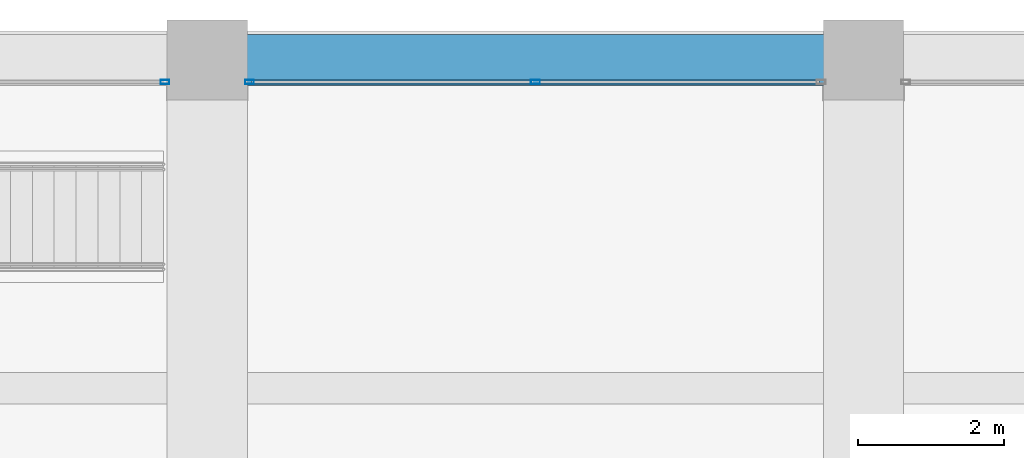
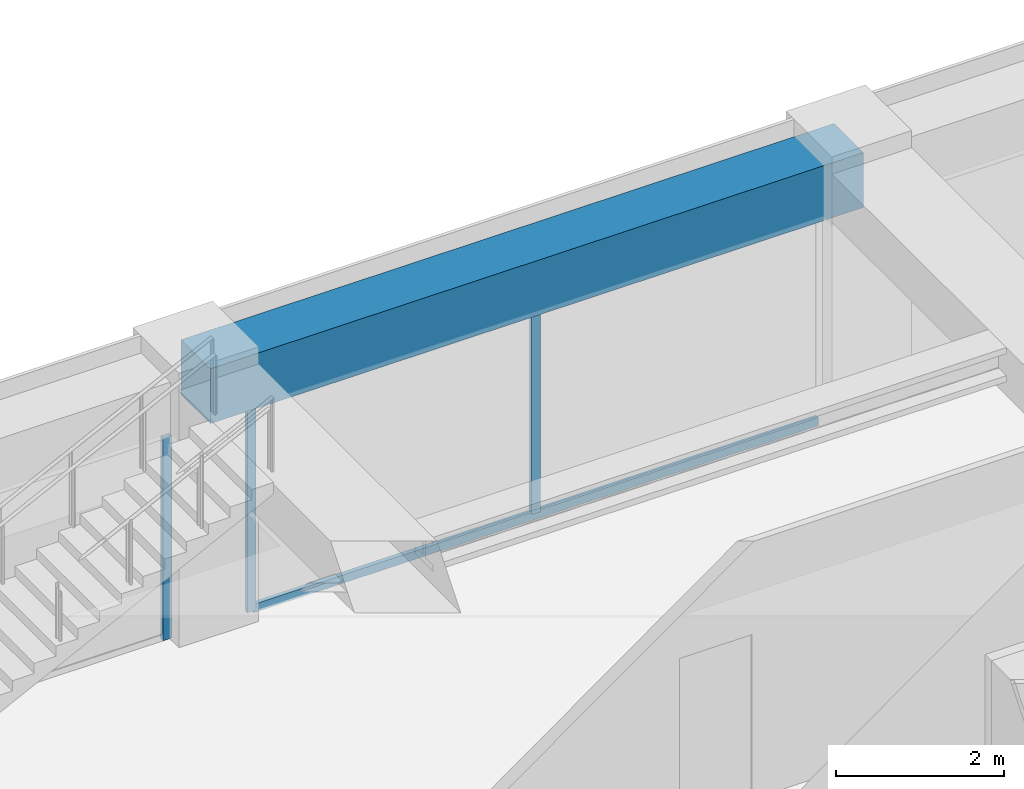
# One storey, part 33 of 44: 4 members, 1 beam, 2 elements without a shape of their own.
"""IFC4 building model written with IfcOpenShell, lengths in metres."""

from ifc_helpers import new_model, si_unit, direction, frame, origin, origin_2d, place, context, subcontext, project, spatial, rectangle, hollow_rectangle, extrude, material, material_profile, profile_set, type_object, element, aggregate, save


model = new_model("IFC4")

# Units and contexts
model_context = context("Model", 3, precision=1e-05, world=origin(), true_north=direction((0.0, 1.0)))
body_context = subcontext(model_context, "Body", "Model", "MODEL_VIEW")
ifc_project = project(units=[si_unit("LENGTHUNIT", "METRE"), si_unit("AREAUNIT", "SQUARE_METRE"), si_unit("VOLUMEUNIT", "CUBIC_METRE"), si_unit("PLANEANGLEUNIT", "RADIAN"), si_unit("MASSUNIT", "GRAM", prefix="KILO")], contexts=[model_context])

# Site, building, storey
site_placement = place(None, origin())
site = spatial("IfcSite", under=ifc_project, at=site_placement, CompositionType="ELEMENT")
building_placement = place(site_placement, origin())
building = spatial("IfcBuilding", under=site, at=building_placement, Name="Zorevar Civic Tower", CompositionType="ELEMENT")
storey_placement = place(building_placement, frame((0.0, 0.0, 271.39990234375)))
storey = spatial("IfcBuildingStorey", under=building, at=storey_placement, Name="L66", CompositionType="ELEMENT", Elevation=271.39990234375)

# Curtain wall, member
ifc_material_1 = material(Name="Dark grey solar-control glass in black aluminium frame", Category="aluminium")
curtain_wall_type = type_object("IfcCurtainWallType", Name="Curtain wall CW5 top zone", PredefinedType="NOTDEFINED", material=ifc_material_1)
curtain_wall_1_placement = place(storey_placement, origin())
curtain_wall_1 = element("IfcCurtainWall", 1, at=curtain_wall_1_placement, inside=storey, type_object=curtain_wall_type, Name="CW5 L66", PredefinedType="NOTDEFINED")
ifc_material_2 = material(Name="Aluminium, black anodised", Category="aluminium")
ifc_material_profile_1 = material_profile(ifc_material_2, hollow_rectangle(XDim=0.06005859375, YDim=0.1201171875, WallThickness=0.0029296875, at=origin_2d()), Name="AL 120x60x3")
ifc_profile_set_1 = profile_set([ifc_material_profile_1], Name="Aluminium, black anodised")
member_type_1 = type_object("IfcMemberType", Name="CW5 mullion AL 120x60x3", PredefinedType="MULLION", material=ifc_profile_set_1)
member_1_placement = place(storey_placement, frame((26.419921875, 44.699951171875, 0.0), z_axis=(0.0, 0.0, 1.0), x_axis=(0.0, 1.0, 0.0)))
member_1 = element("IfcMember", 2, at=member_1_placement, type_object=member_type_1, Name="CW5 mullion 3", PredefinedType="MULLION", context=body_context, shape_type="SweptSolid", body=[
    extrude(hollow_rectangle(XDim=0.06005859375, YDim=0.1201171875, WallThickness=0.0029296875, at=origin_2d()), origin(), (0.0, 0.0, 1.0), 2.9501953125),
])
aggregate(curtain_wall_1, [member_1])

# Curtain wall, members
curtain_wall_2_placement = place(storey_placement, origin())
curtain_wall_2 = element("IfcCurtainWall", 3, at=curtain_wall_2_placement, inside=storey, type_object=curtain_wall_type, Name="CW5 L66", PredefinedType="NOTDEFINED")
member_2_placement = place(storey_placement, frame((27.580078125, 44.699951171875, 0.0), z_axis=(0.0, 0.0, 1.0), x_axis=(0.0, 1.0, 0.0)))
member_2 = element("IfcMember", 4, at=member_2_placement, type_object=member_type_1, Name="CW5 mullion 1", PredefinedType="MULLION", context=body_context, shape_type="SweptSolid", body=[
    extrude(hollow_rectangle(XDim=0.06005859375, YDim=0.1201171875, WallThickness=0.0029296875, at=origin_2d()), origin(), (0.0, 0.0, 1.0), 2.9501953125),
])
member_3_placement = place(storey_placement, frame((31.5, 44.699951171875, 0.06005859375), z_axis=(0.0, 0.0, 1.0), x_axis=(0.0, 1.0, 0.0)))
member_3 = element("IfcMember", 5, at=member_3_placement, type_object=member_type_1, Name="CW5 mullion 2", PredefinedType="MULLION", context=body_context, shape_type="SweptSolid", body=[
    extrude(hollow_rectangle(XDim=0.06005859375, YDim=0.1201171875, WallThickness=0.0029296875, at=origin_2d()), origin(), (0.0, 0.0, 1.0), 2.89013671875),
])
ifc_material_3 = material(Name="Aluminium, black anodised", Category="aluminium")
ifc_material_profile_2 = material_profile(ifc_material_3, hollow_rectangle(XDim=0.06005859375, YDim=0.1201171875, WallThickness=0.0029296875, at=origin_2d()), Name="AL 120x60x3")
ifc_profile_set_2 = profile_set([ifc_material_profile_2], Name="Aluminium, black anodised")
member_type_2 = type_object("IfcMemberType", Name="CW5 transom AL 120x60x3", PredefinedType="USERDEFINED", material=ifc_profile_set_2)
member_4_placement = place(storey_placement, frame((27.610107421875, 44.699951171875, 0.030029296875), z_axis=(1.0, 0.0, 0.0), x_axis=(0.0, 1.0, 0.0)))
member_4 = element("IfcMember", 6, at=member_4_placement, type_object=member_type_2, Name="CW5 sill transom", ObjectType="TRANSOM", PredefinedType="USERDEFINED", context=body_context, shape_type="SweptSolid", body=[
    extrude(hollow_rectangle(XDim=0.06005859375, YDim=0.1201171875, WallThickness=0.0029296875, at=origin_2d()), origin(), (0.0, 0.0, 1.0), 7.77978515625),
])
aggregate(curtain_wall_2, [member_2, member_3, member_4])

# Beam
ifc_material_4 = material(Name="Concrete C50/60", Category="concrete")
ifc_material_profile_3 = material_profile(ifc_material_4, rectangle(XDim=0.699951171875, YDim=0.800048828125, at=origin_2d()), Name="RC 700x800")
ifc_profile_set_3 = profile_set([ifc_material_profile_3], Name="Concrete C50/60")
beam_type = type_object("IfcBeamType", Name="Edge beam RC 700x800", PredefinedType="SPANDREL", material=ifc_profile_set_3)
beam_placement = place(storey_placement, frame((27.0, 45.0, 3.35009765625), z_axis=(1.0, 0.0, 0.0), x_axis=(0.0, 1.0, 0.0)))
element("IfcBeam", 7, at=beam_placement, inside=storey, type_object=beam_type, Name="Edge beam L67", PredefinedType="SPANDREL", context=body_context, shape_type="SweptSolid", body=[
    extrude(rectangle(XDim=0.699951171875, YDim=0.800048828125, at=origin_2d()), origin(), (0.0, 0.0, 1.0), 9.0),
])

save(model, "model.ifc")
